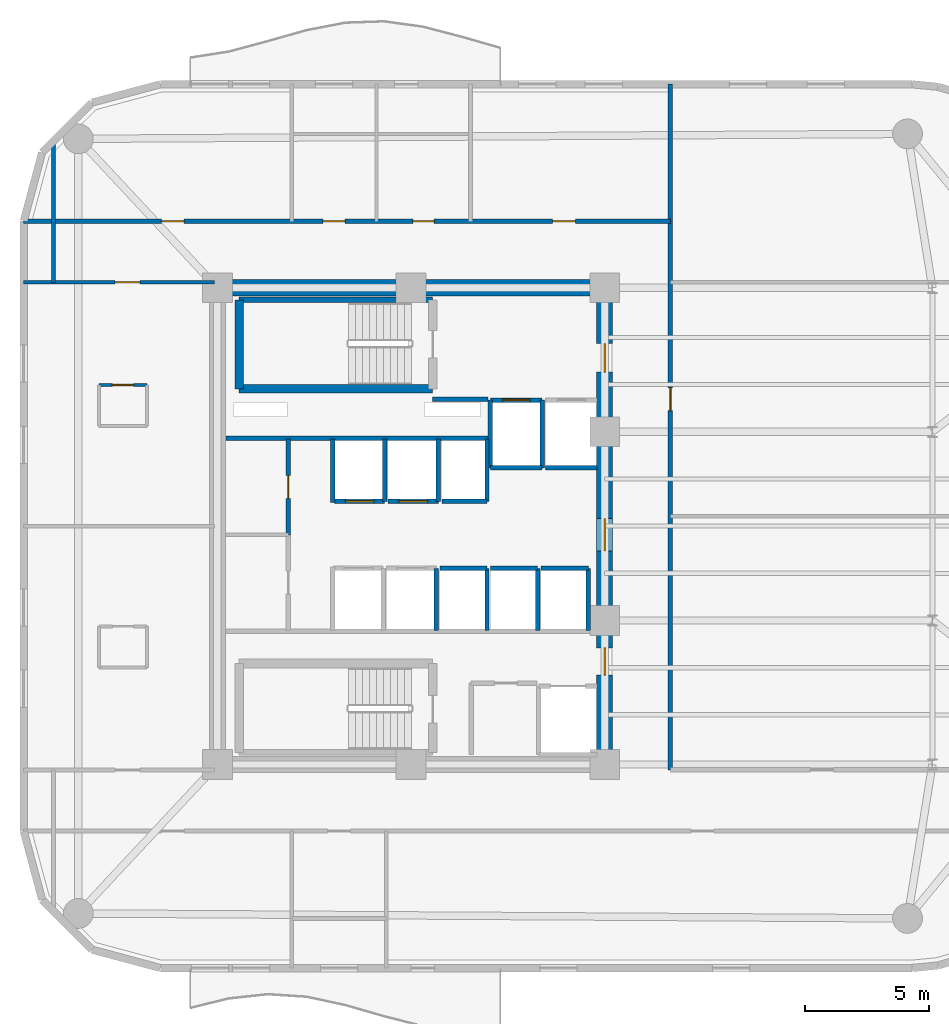
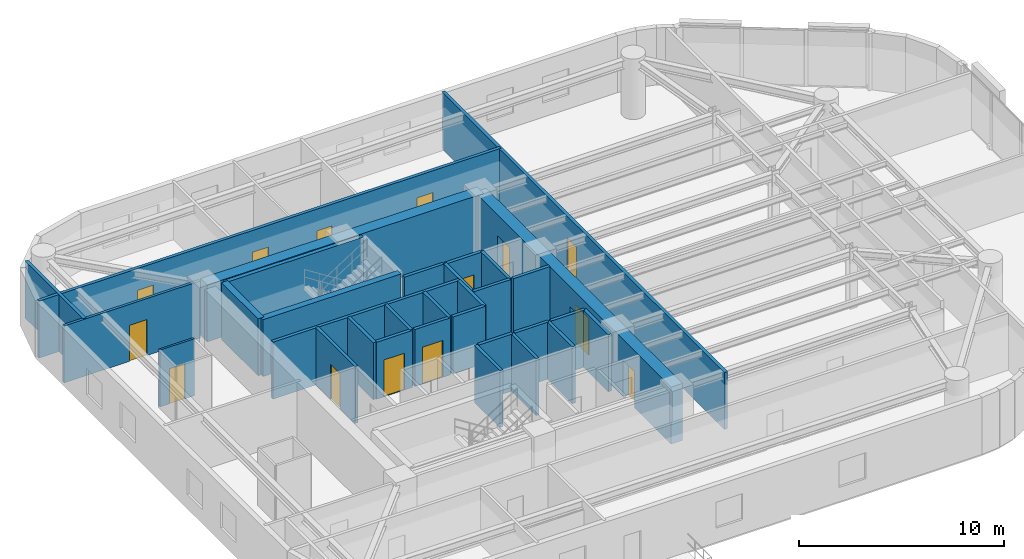
# One storey, part 11 of 15: 32 walls, 14 doors, 14 openings.
"""IFC4 building model written with IfcOpenShell, lengths in metres."""

from ifc_helpers import new_model, si_unit, direction, frame, frame_2d, origin, place, context, subcontext, project, spatial, rectangle, extrude, material, layer, layer_set, type_object, element, fill, save


model = new_model("IFC4")

# Units and contexts
model_context = context("Model", 3, precision=1e-05, world=origin(), true_north=direction((0.0, 1.0)))
body_context = subcontext(model_context, "Body", "Model", "MODEL_VIEW")
ifc_project = project(units=[si_unit("LENGTHUNIT", "METRE"), si_unit("AREAUNIT", "SQUARE_METRE"), si_unit("VOLUMEUNIT", "CUBIC_METRE"), si_unit("PLANEANGLEUNIT", "RADIAN"), si_unit("MASSUNIT", "GRAM", prefix="KILO")], contexts=[model_context])

# Site, building, storey
site_placement = place(None, origin())
site = spatial("IfcSite", under=ifc_project, at=site_placement, CompositionType="ELEMENT")
building_placement = place(site_placement, origin())
building = spatial("IfcBuilding", under=site, at=building_placement, Name="An Khanh Terracotta Commons", CompositionType="ELEMENT")
storey_placement = place(building_placement, frame((0.0, 0.0, 165.39990234375)))
storey = spatial("IfcBuildingStorey", under=building, at=storey_placement, Name="L43", CompositionType="ELEMENT", Elevation=165.39990234375)

# Wall
ifc_material_1 = material(Name="Concrete C60/75", Category="concrete")
ifc_layer_1 = layer(ifc_material_1, 0.64990234375, Name="Concrete C60/75")
ifc_layer_set_1 = layer_set([ifc_layer_1], Name="Concrete C60/75")
wall_type_1 = type_object("IfcWallType", Name="WALL-CORE-650", PredefinedType="SHEAR", material=ifc_layer_set_1)
wall_1_placement = place(storey_placement, frame((21.60009765625, 33.60009765625, 0.0), z_axis=(0.0, 0.0, 1.0), x_axis=(1.0, 0.0, 0.0)))
element("IfcWall", 1, at=wall_1_placement, inside=storey, type_object=wall_type_1, Name="L43 Core Wall CWALL-L43-N", PredefinedType="SHEAR", context=body_context, shape_type="SweptSolid", body=[
    extrude(rectangle(XDim=15.599853515625, YDim=0.64990234375, at=frame_2d((7.7998046875, 0.0))), origin(), (0.0, 0.0, 1.0), 3.400146484375),
])

# Wall, openings, doors
wall_2_placement = place(storey_placement, frame((37.199951171875, 14.39990234375, 0.0), z_axis=(0.0, 0.0, 1.0), x_axis=(0.0, 1.0, 0.0)))
wall_2 = element("IfcWall", 2, at=wall_2_placement, inside=storey, type_object=wall_type_1, Name="L43 Core Wall CWALL-L43-E", PredefinedType="SHEAR", context=body_context, shape_type="SweptSolid", body=[
    extrude(rectangle(XDim=19.2001953125, YDim=0.64990234375, at=frame_2d((9.60009765625, 0.0))), origin(), (0.0, 0.0, 1.0), 3.400146484375),
])
opening_1_placement = place(wall_2_placement, frame((15.800048828125, 0.0, 0.0)))
opening_1 = element("IfcOpeningElement", 3, at=opening_1_placement, cuts=wall_2, Name="Opening D-FFL", PredefinedType="OPENING", context=body_context, shape_type="SweptSolid", body=[
    extrude(rectangle(XDim=1.14990234375, YDim=2.14990234375, at=frame_2d((0.574951171875, 1.074951171875))), frame((0.0, 0.3349609375, 0.0), z_axis=(0.0, -1.0, 0.0), x_axis=(1.0, 0.0, 0.0)), (0.0, 0.0, 1.0), 0.669921875),
])
opening_2_placement = place(wall_2_placement, frame((3.60009765625, 0.0, 0.0)))
opening_2 = element("IfcOpeningElement", 4, at=opening_2_placement, cuts=wall_2, Name="Opening D-ST", PredefinedType="OPENING", context=body_context, shape_type="SweptSolid", body=[
    extrude(rectangle(XDim=1.10009765625, YDim=2.14990234375, at=frame_2d((0.550048828125, 1.074951171875))), frame((0.0, 0.3349609375, 0.0), z_axis=(0.0, -1.0, 0.0), x_axis=(1.0, 0.0, 0.0)), (0.0, 0.0, 1.0), 0.669921875),
])
opening_3_placement = place(wall_2_placement, frame((8.60009765625, 0.0, 0.0)))
opening_3 = element("IfcOpeningElement", 5, at=opening_3_placement, cuts=wall_2, Name="Opening D-COR", PredefinedType="OPENING", context=body_context, shape_type="SweptSolid", body=[
    extrude(rectangle(XDim=1.300048828125, YDim=2.199951171875, at=frame_2d((0.64990234375, 1.10009765625))), frame((0.0, 0.3349609375, 0.0), z_axis=(0.0, -1.0, 0.0), x_axis=(1.0, 0.0, 0.0)), (0.0, 0.0, 1.0), 0.669921875),
])
ifc_material_2 = material(Name="Fire-Rated Glazed Steel Double Door", Category="steel")
door_type_1 = type_object("IfcDoorType", Name="DOOR-CORR-1300", OperationType="NOTDEFINED", PredefinedType="DOOR", material=ifc_material_2)
door_1_placement = place(opening_3_placement, origin())
door_1 = element("IfcDoor", 6, at=door_1_placement, inside=storey, type_object=door_type_1, Name="L43 Passenger Lift Lobby Double Door", OperationType="DOUBLE_DOOR_SINGLE_SWING", OverallHeight=2.199951171875, OverallWidth=1.300048828125, PredefinedType="DOOR", context=body_context, shape_type="SweptSolid", body=[
    extrude(rectangle(XDim=1.300048828125, YDim=2.199951171875, at=frame_2d((0.64990234375, 1.10009765625))), frame((0.0, 0.02490234375, 0.0), z_axis=(0.0, -1.0, 0.0), x_axis=(1.0, 0.0, 0.0)), (0.0, 0.0, 1.0), 0.050048828125),
])
fill(opening_3, door_1)
ifc_material_3 = material(Name="Fire-Rated Steel Leaf and Vision Panel", Category="steel")
door_type_2 = type_object("IfcDoorType", Name="DOOR-FFL-1150", OperationType="NOTDEFINED", PredefinedType="DOOR", material=ifc_material_3)
door_2_placement = place(opening_1_placement, origin())
door_2 = element("IfcDoor", 7, at=door_2_placement, inside=storey, type_object=door_type_2, Name="L43 Firefighting Lift Lobby Fire Door", OperationType="SINGLE_SWING_RIGHT", OverallHeight=2.14990234375, OverallWidth=1.14990234375, PredefinedType="DOOR", context=body_context, shape_type="SweptSolid", body=[
    extrude(rectangle(XDim=1.14990234375, YDim=2.14990234375, at=frame_2d((0.574951171875, 1.074951171875))), frame((0.0, 0.02490234375, 0.0), z_axis=(0.0, -1.0, 0.0), x_axis=(1.0, 0.0, 0.0)), (0.0, 0.0, 1.0), 0.050048828125),
])
fill(opening_1, door_2)
ifc_material_4 = material(Name="Fire-Rated Steel Leaf and Frame", Category="steel")
door_type_3 = type_object("IfcDoorType", Name="DOOR-STAIR-1100", OperationType="NOTDEFINED", PredefinedType="DOOR", material=ifc_material_4)
door_3_placement = place(opening_2_placement, origin())
door_3 = element("IfcDoor", 8, at=door_3_placement, inside=storey, type_object=door_type_3, Name="L43 South Stair Lobby Fire Door", OperationType="SINGLE_SWING_LEFT", OverallHeight=2.14990234375, OverallWidth=1.10009765625, PredefinedType="DOOR", context=body_context, shape_type="SweptSolid", body=[
    extrude(rectangle(XDim=1.10009765625, YDim=2.14990234375, at=frame_2d((0.550048828125, 1.074951171875))), frame((0.0, 0.02490234375, 0.0), z_axis=(0.0, -1.0, 0.0), x_axis=(1.0, 0.0, 0.0)), (0.0, 0.0, 1.0), 0.050048828125),
])
fill(opening_2, door_3)

# Walls
ifc_material_5 = material(Name="Fire-Rated Gypsum Board on Steel Stud", Category="steel")
ifc_layer_2 = layer(ifc_material_5, 0.179931640625, Name="Fire-Rated Gypsum Board on Steel Stud")
ifc_layer_set_2 = layer_set([ifc_layer_2], Name="Fire-Rated Gypsum Board on Steel Stud")
wall_type_2 = type_object("IfcWallType", Name="WALL-CORR-180", PredefinedType="PARTITIONING", material=ifc_layer_set_2)
wall_3_placement = place(storey_placement, frame((30.27001953125, 29.1201171875, 0.0), z_axis=(0.0, 0.0, 1.0), x_axis=(1.0, 0.0, 0.0)))
element("IfcWall", 9, at=wall_3_placement, inside=storey, type_object=wall_type_2, Name="L43 Core Wall FFLW-L43-S", PredefinedType="PARTITIONING", context=body_context, shape_type="SweptSolid", body=[
    extrude(rectangle(XDim=2.239990234375, YDim=0.179931640625, at=frame_2d((1.1201171875, 0.0))), origin(), (0.0, 0.0, 1.0), 3.400146484375),
])
wall_4_placement = place(storey_placement, frame((21.949951171875, 27.5400390625, 0.0), z_axis=(0.0, 0.0, 1.0), x_axis=(1.0, 0.0, 0.0)))
element("IfcWall", 10, at=wall_4_placement, inside=storey, type_object=wall_type_2, Name="L43 Core Wall RSRW-L43-S", PredefinedType="PARTITIONING", context=body_context, shape_type="SweptSolid", body=[
    extrude(rectangle(XDim=10.56005859375, YDim=0.179931640625, at=frame_2d((5.280029296875, 0.0))), origin(), (0.0, 0.0, 1.0), 3.400146484375),
])

# Wall, opening, door
wall_5_placement = place(storey_placement, frame((32.60009765625, 29.080078125, 0.0), z_axis=(0.0, 0.0, 1.0), x_axis=(1.0, 0.0, 0.0)))
wall_5 = element("IfcWall", 11, at=wall_5_placement, inside=storey, type_object=wall_type_2, Name="L43 Core Wall LSH-L43-FFL-01-N", PredefinedType="PARTITIONING", context=body_context, shape_type="SweptSolid", body=[
    extrude(rectangle(XDim=2.079833984375, YDim=0.179931640625, at=frame_2d((1.0400390625, 0.0))), origin(), (0.0, 0.0, 1.0), 3.400146484375),
])
opening_4_placement = place(wall_5_placement, frame((0.489990234375, 0.0, 0.0)))
opening_4 = element("IfcOpeningElement", 12, at=opening_4_placement, cuts=wall_5, Name="Opening LD-FFL-01-L43", PredefinedType="OPENING", context=body_context, shape_type="SweptSolid", body=[
    extrude(rectangle(XDim=1.10009765625, YDim=2.199951171875, at=frame_2d((0.550048828125, 1.10009765625))), frame((0.0, 0.099853515625, 0.0), z_axis=(0.0, -1.0, 0.0), x_axis=(1.0, 0.0, 0.0)), (0.0, 0.0, 1.0), 0.199951171875),
])
ifc_material_6 = material(Name="Brushed Stainless Steel Fire Landing Door", Category="steel")
door_type_4 = type_object("IfcDoorType", Name="DOOR-LD-FFL-1100", OperationType="NOTDEFINED", PredefinedType="DOOR", material=ifc_material_6)
door_4_placement = place(opening_4_placement, origin())
door_4 = element("IfcDoor", 13, at=door_4_placement, inside=storey, type_object=door_type_4, Name="L43 Lift FFL-01 Sliding Landing Door", OperationType="DOUBLE_DOOR_SLIDING", OverallHeight=2.199951171875, OverallWidth=1.10009765625, PredefinedType="DOOR", context=body_context, shape_type="SweptSolid", body=[
    extrude(rectangle(XDim=1.10009765625, YDim=2.199951171875, at=frame_2d((0.550048828125, 1.10009765625))), frame((0.0, 0.02490234375, 0.0), z_axis=(0.0, -1.0, 0.0), x_axis=(1.0, 0.0, 0.0)), (0.0, 0.0, 1.0), 0.050048828125),
])
fill(opening_4, door_4)

# Walls
wall_6_placement = place(storey_placement, frame((34.679931640625, 26.35009765625, 0.0), z_axis=(0.0, 0.0, 1.0), x_axis=(-1.0, 0.0, 0.0)))
element("IfcWall", 14, at=wall_6_placement, inside=storey, type_object=wall_type_2, Name="L43 Core Wall LSH-L43-FFL-01-S", PredefinedType="PARTITIONING", context=body_context, shape_type="SweptSolid", body=[
    extrude(rectangle(XDim=2.079833984375, YDim=0.179931640625, at=frame_2d((1.0400390625, 0.0))), origin(), (0.0, 0.0, 1.0), 3.400146484375),
])
for number, where, z_axis, x_axis, name in (
    (15, (34.679931640625, 26.35009765625, 0.0), (0.0, 0.0, 1.0), (0.0, 1.0, 0.0), "L43 Core Wall LSH-L43-FFL-01-E"),
    (16, (32.60009765625, 29.080078125, 0.0), (0.0, 0.0, 1.0), (0.0, -1.0, 0.0), "L43 Core Wall LSH-L43-FFL-01-W"),
):
    element("IfcWall", number, at=place(storey_placement, frame(where, z_axis=z_axis, x_axis=x_axis)), inside=storey, type_object=wall_type_2, Name=name, PredefinedType="PARTITIONING", context=body_context, shape_type="SweptSolid", body=[
        extrude(rectangle(XDim=2.72998046875, YDim=0.179931640625, at=frame_2d((1.364990234375, 0.0))), origin(), (0.0, 0.0, 1.0), 3.400146484375),
    ])
wall_7_placement = place(storey_placement, frame((36.89990234375, 26.35009765625, 0.0), z_axis=(0.0, 0.0, 1.0), x_axis=(-1.0, 0.0, 0.0)))
element("IfcWall", 17, at=wall_7_placement, inside=storey, type_object=wall_type_2, Name="L43 Core Wall LSH-L43-FFL-02-S", PredefinedType="PARTITIONING", context=body_context, shape_type="SweptSolid", body=[
    extrude(rectangle(XDim=2.079833984375, YDim=0.179931640625, at=frame_2d((1.0400390625, 0.0))), origin(), (0.0, 0.0, 1.0), 3.400146484375),
])

# Wall, opening, door
wall_8_placement = place(storey_placement, frame((28.340087890625, 25.0, 0.0), z_axis=(0.0, 0.0, 1.0), x_axis=(-1.0, 0.0, 0.0)))
wall_8 = element("IfcWall", 18, at=wall_8_placement, inside=storey, type_object=wall_type_2, Name="L43 Core Wall LSH-L43-PL-M1-S", PredefinedType="PARTITIONING", context=body_context, shape_type="SweptSolid", body=[
    extrude(rectangle(XDim=2.02001953125, YDim=0.179931640625, at=frame_2d((1.010009765625, 0.0))), origin(), (0.0, 0.0, 1.0), 3.400146484375),
])
opening_5_placement = place(wall_8_placement, frame((0.43505859375, 0.0, 0.0)))
opening_5 = element("IfcOpeningElement", 19, at=opening_5_placement, cuts=wall_8, Name="Opening LD-PL-M1-L43", PredefinedType="OPENING", context=body_context, shape_type="SweptSolid", body=[
    extrude(rectangle(XDim=1.14990234375, YDim=2.199951171875, at=frame_2d((0.574951171875, 1.10009765625))), frame((0.0, 0.099853515625, 0.0), z_axis=(0.0, -1.0, 0.0), x_axis=(1.0, 0.0, 0.0)), (0.0, 0.0, 1.0), 0.199951171875),
])
ifc_material_7 = material(Name="Brushed Stainless Steel Passenger Landing Door", Category="steel")
door_type_5 = type_object("IfcDoorType", Name="DOOR-LD-PAX-1150", OperationType="NOTDEFINED", PredefinedType="DOOR", material=ifc_material_7)
door_5_placement = place(opening_5_placement, origin())
door_5 = element("IfcDoor", 20, at=door_5_placement, inside=storey, type_object=door_type_5, Name="L43 Lift PL-M1 Sliding Landing Door", OperationType="DOUBLE_DOOR_SLIDING", OverallHeight=2.199951171875, OverallWidth=1.14990234375, PredefinedType="DOOR", context=body_context, shape_type="SweptSolid", body=[
    extrude(rectangle(XDim=1.14990234375, YDim=2.199951171875, at=frame_2d((0.574951171875, 1.10009765625))), frame((0.0, 0.02490234375, 0.0), z_axis=(0.0, -1.0, 0.0), x_axis=(1.0, 0.0, 0.0)), (0.0, 0.0, 1.0), 0.050048828125),
])
fill(opening_5, door_5)

# Wall
wall_9_placement = place(storey_placement, frame((28.340087890625, 25.0, 0.0), z_axis=(0.0, 0.0, 1.0), x_axis=(0.0, 1.0, 0.0)))
element("IfcWall", 21, at=wall_9_placement, inside=storey, type_object=wall_type_2, Name="L43 Core Wall LSH-L43-PL-M1-E", PredefinedType="PARTITIONING", context=body_context, shape_type="SweptSolid", body=[
    extrude(rectangle(XDim=2.5, YDim=0.179931640625, at=frame_2d((1.25, 0.0))), origin(), (0.0, 0.0, 1.0), 3.400146484375),
])

# Wall, opening, door
wall_10_placement = place(storey_placement, frame((30.5, 25.0, 0.0), z_axis=(0.0, 0.0, 1.0), x_axis=(-1.0, 0.0, 0.0)))
wall_10 = element("IfcWall", 22, at=wall_10_placement, inside=storey, type_object=wall_type_2, Name="L43 Core Wall LSH-L43-PL-M2-S", PredefinedType="PARTITIONING", context=body_context, shape_type="SweptSolid", body=[
    extrude(rectangle(XDim=2.02001953125, YDim=0.179931640625, at=frame_2d((1.010009765625, 0.0))), origin(), (0.0, 0.0, 1.0), 3.400146484375),
])
opening_6_placement = place(wall_10_placement, frame((0.43505859375, 0.0, 0.0)))
opening_6 = element("IfcOpeningElement", 23, at=opening_6_placement, cuts=wall_10, Name="Opening LD-PL-M2-L43", PredefinedType="OPENING", context=body_context, shape_type="SweptSolid", body=[
    extrude(rectangle(XDim=1.14990234375, YDim=2.199951171875, at=frame_2d((0.574951171875, 1.10009765625))), frame((0.0, 0.099853515625, 0.0), z_axis=(0.0, -1.0, 0.0), x_axis=(1.0, 0.0, 0.0)), (0.0, 0.0, 1.0), 0.199951171875),
])
door_6_placement = place(opening_6_placement, origin())
door_6 = element("IfcDoor", 24, at=door_6_placement, inside=storey, type_object=door_type_5, Name="L43 Lift PL-M2 Sliding Landing Door", OperationType="DOUBLE_DOOR_SLIDING", OverallHeight=2.199951171875, OverallWidth=1.14990234375, PredefinedType="DOOR", context=body_context, shape_type="SweptSolid", body=[
    extrude(rectangle(XDim=1.14990234375, YDim=2.199951171875, at=frame_2d((0.574951171875, 1.10009765625))), frame((0.0, 0.02490234375, 0.0), z_axis=(0.0, -1.0, 0.0), x_axis=(1.0, 0.0, 0.0)), (0.0, 0.0, 1.0), 0.050048828125),
])
fill(opening_6, door_6)

# Walls
for number, where, z_axis, x_axis, name in (
    (25, (30.5, 25.0, 0.0), (0.0, 0.0, 1.0), (0.0, 1.0, 0.0), "L43 Core Wall LSH-L43-PL-M2-E"),
    (26, (30.419921875, 19.800048828125, 0.0), (0.0, 0.0, 1.0), (0.0, 1.0, 0.0), "L43 Core Wall LSH-L43-PL-M4-E"),
):
    element("IfcWall", number, at=place(storey_placement, frame(where, z_axis=z_axis, x_axis=x_axis)), inside=storey, type_object=wall_type_2, Name=name, PredefinedType="PARTITIONING", context=body_context, shape_type="SweptSolid", body=[
        extrude(rectangle(XDim=2.5, YDim=0.179931640625, at=frame_2d((1.25, 0.0))), origin(), (0.0, 0.0, 1.0), 3.400146484375),
    ])
wall_11_placement = place(storey_placement, frame((32.4599609375, 25.0, 0.0), z_axis=(0.0, 0.0, 1.0), x_axis=(-1.0, 0.0, 0.0)))
element("IfcWall", 27, at=wall_11_placement, inside=storey, type_object=wall_type_2, Name="L43 Core Wall LSH-L43-PL-H1-S", PredefinedType="PARTITIONING", context=body_context, shape_type="SweptSolid", body=[
    extrude(rectangle(XDim=1.820068359375, YDim=0.179931640625, at=frame_2d((0.91015625, 0.0))), origin(), (0.0, 0.0, 1.0), 3.400146484375),
])
wall_12_placement = place(storey_placement, frame((32.4599609375, 25.0, 0.0), z_axis=(0.0, 0.0, 1.0), x_axis=(0.0, 1.0, 0.0)))
element("IfcWall", 28, at=wall_12_placement, inside=storey, type_object=wall_type_2, Name="L43 Core Wall LSH-L43-PL-H1-E", PredefinedType="PARTITIONING", context=body_context, shape_type="SweptSolid", body=[
    extrude(rectangle(XDim=2.5, YDim=0.179931640625, at=frame_2d((1.25, 0.0))), origin(), (0.0, 0.0, 1.0), 3.400146484375),
])
wall_13_placement = place(storey_placement, frame((30.56005859375, 22.300048828125, 0.0), z_axis=(0.0, 0.0, 1.0), x_axis=(1.0, 0.0, 0.0)))
element("IfcWall", 29, at=wall_13_placement, inside=storey, type_object=wall_type_2, Name="L43 Core Wall LSH-L43-PL-H2-N", PredefinedType="PARTITIONING", context=body_context, shape_type="SweptSolid", body=[
    extrude(rectangle(XDim=1.89990234375, YDim=0.179931640625, at=frame_2d((0.949951171875, 0.0))), origin(), (0.0, 0.0, 1.0), 3.400146484375),
])
wall_14_placement = place(storey_placement, frame((32.4599609375, 19.800048828125, 0.0), z_axis=(0.0, 0.0, 1.0), x_axis=(0.0, 1.0, 0.0)))
element("IfcWall", 30, at=wall_14_placement, inside=storey, type_object=wall_type_2, Name="L43 Core Wall LSH-L43-PL-H2-E", PredefinedType="PARTITIONING", context=body_context, shape_type="SweptSolid", body=[
    extrude(rectangle(XDim=2.5, YDim=0.179931640625, at=frame_2d((1.25, 0.0))), origin(), (0.0, 0.0, 1.0), 3.400146484375),
])
wall_15_placement = place(storey_placement, frame((32.60009765625, 22.300048828125, 0.0), z_axis=(0.0, 0.0, 1.0), x_axis=(1.0, 0.0, 0.0)))
element("IfcWall", 31, at=wall_15_placement, inside=storey, type_object=wall_type_2, Name="L43 Core Wall LSH-L43-PL-H3-N", PredefinedType="PARTITIONING", context=body_context, shape_type="SweptSolid", body=[
    extrude(rectangle(XDim=1.89990234375, YDim=0.179931640625, at=frame_2d((0.949951171875, 0.0))), origin(), (0.0, 0.0, 1.0), 3.400146484375),
])
wall_16_placement = place(storey_placement, frame((34.5, 19.800048828125, 0.0), z_axis=(0.0, 0.0, 1.0), x_axis=(0.0, 1.0, 0.0)))
element("IfcWall", 32, at=wall_16_placement, inside=storey, type_object=wall_type_2, Name="L43 Core Wall LSH-L43-PL-H3-E", PredefinedType="PARTITIONING", context=body_context, shape_type="SweptSolid", body=[
    extrude(rectangle(XDim=2.5, YDim=0.179931640625, at=frame_2d((1.25, 0.0))), origin(), (0.0, 0.0, 1.0), 3.400146484375),
])
wall_17_placement = place(storey_placement, frame((34.639892578125, 22.300048828125, 0.0), z_axis=(0.0, 0.0, 1.0), x_axis=(1.0, 0.0, 0.0)))
element("IfcWall", 33, at=wall_17_placement, inside=storey, type_object=wall_type_2, Name="L43 Core Wall LSH-L43-PL-H4-N", PredefinedType="PARTITIONING", context=body_context, shape_type="SweptSolid", body=[
    extrude(rectangle(XDim=1.900146484375, YDim=0.179931640625, at=frame_2d((0.9501953125, 0.0))), origin(), (0.0, 0.0, 1.0), 3.400146484375),
])
wall_18_placement = place(storey_placement, frame((36.5400390625, 19.800048828125, 0.0), z_axis=(0.0, 0.0, 1.0), x_axis=(0.0, 1.0, 0.0)))
element("IfcWall", 34, at=wall_18_placement, inside=storey, type_object=wall_type_2, Name="L43 Core Wall LSH-L43-PL-H4-E", PredefinedType="PARTITIONING", context=body_context, shape_type="SweptSolid", body=[
    extrude(rectangle(XDim=2.5, YDim=0.179931640625, at=frame_2d((1.25, 0.0))), origin(), (0.0, 0.0, 1.0), 3.400146484375),
])

# Wall, opening, door
wall_19_placement = place(storey_placement, frame((24.4599609375, 23.64990234375, 0.0), z_axis=(0.0, 0.0, 1.0), x_axis=(0.0, 1.0, 0.0)))
wall_19 = element("IfcWall", 35, at=wall_19_placement, inside=storey, type_object=wall_type_2, Name="L43 Core Wall RECW-L43-E1", PredefinedType="PARTITIONING", context=body_context, shape_type="SweptSolid", body=[
    extrude(rectangle(XDim=3.85009765625, YDim=0.179931640625, at=frame_2d((1.925048828125, 0.0))), origin(), (0.0, 0.0, 1.0), 3.400146484375),
])
opening_7_placement = place(wall_19_placement, frame((1.465087890625, 0.0, 0.0)))
opening_7 = element("IfcOpeningElement", 36, at=opening_7_placement, cuts=wall_19, Name="Opening D-RM", PredefinedType="OPENING", context=body_context, shape_type="SweptSolid", body=[
    extrude(rectangle(XDim=0.919921875, YDim=2.10009765625, at=frame_2d((0.4599609375, 1.050048828125))), frame((0.0, 0.099853515625, 0.0), z_axis=(0.0, -1.0, 0.0), x_axis=(1.0, 0.0, 0.0)), (0.0, 0.0, 1.0), 0.199951171875),
])
ifc_material_8 = material(Name="Engineered Hardwood Timber Leaf", Category="wood")
door_type_6 = type_object("IfcDoorType", Name="DOOR-INT-920", OperationType="NOTDEFINED", PredefinedType="DOOR", material=ifc_material_8)
door_7_placement = place(opening_7_placement, origin())
door_7 = element("IfcDoor", 37, at=door_7_placement, inside=storey, type_object=door_type_6, Name="L43 Communal Laundry Room Door", OperationType="SINGLE_SWING_LEFT", OverallHeight=2.10009765625, OverallWidth=0.919921875, PredefinedType="DOOR", context=body_context, shape_type="SweptSolid", body=[
    extrude(rectangle(XDim=0.919921875, YDim=2.10009765625, at=frame_2d((0.4599609375, 1.050048828125))), frame((0.0, 0.02490234375, 0.0), z_axis=(0.0, -1.0, 0.0), x_axis=(1.0, 0.0, 0.0)), (0.0, 0.0, 1.0), 0.050048828125),
])
fill(opening_7, door_7)

# Wall
wall_20_placement = place(storey_placement, frame((26.25, 24.949951171875, 0.0), z_axis=(0.0, 0.0, 1.0), x_axis=(0.0, 1.0, 0.0)))
element("IfcWall", 38, at=wall_20_placement, inside=storey, type_object=wall_type_2, Name="L43 Core Wall RECW-L43-BE1", PredefinedType="PARTITIONING", context=body_context, shape_type="SweptSolid", body=[
    extrude(rectangle(XDim=2.550048828125, YDim=0.179931640625, at=frame_2d((1.27490234375, 0.0))), origin(), (0.0, 0.0, 1.0), 3.400146484375),
])

# Wall, openings, doors
wall_21_placement = place(storey_placement, frame((13.800048828125, 36.280029296875, 0.0), z_axis=(0.0, 0.0, 1.0), x_axis=(1.0, 0.0, 0.0)))
wall_21 = element("IfcWall", 39, at=wall_21_placement, inside=storey, type_object=wall_type_2, Name="L43 Interior Partition IW-L43-E011", PredefinedType="PARTITIONING", context=body_context, shape_type="SweptSolid", body=[
    extrude(rectangle(XDim=26.050048828125, YDim=0.179931640625, at=frame_2d((13.02490234375, 0.0))), origin(), (0.0, 0.0, 1.0), 3.400146484375),
])
opening_8_placement = place(wall_21_placement, frame((12.050048828125, 0.0, 0.0)))
opening_8 = element("IfcOpeningElement", 40, at=opening_8_placement, cuts=wall_21, Name="Opening D-WC", PredefinedType="OPENING", context=body_context, shape_type="SweptSolid", body=[
    extrude(rectangle(XDim=0.89990234375, YDim=2.10009765625, at=frame_2d((0.449951171875, 1.050048828125))), frame((0.0, 0.099853515625, 0.0), z_axis=(0.0, -1.0, 0.0), x_axis=(1.0, 0.0, 0.0)), (0.0, 0.0, 1.0), 0.199951171875),
])
opening_9_placement = place(wall_21_placement, frame((15.669921875, 0.0, 0.0)))
opening_9 = element("IfcOpeningElement", 41, at=opening_9_placement, cuts=wall_21, Name="Opening D-ENS", PredefinedType="OPENING", context=body_context, shape_type="SweptSolid", body=[
    extrude(rectangle(XDim=0.860107421875, YDim=2.10009765625, at=frame_2d((0.43017578125, 1.050048828125))), frame((0.0, 0.099853515625, 0.0), z_axis=(0.0, -1.0, 0.0), x_axis=(1.0, 0.0, 0.0)), (0.0, 0.0, 1.0), 0.199951171875),
])
opening_10_placement = place(wall_21_placement, frame((5.5400390625, 0.0, 0.0)))
opening_10 = element("IfcOpeningElement", 42, at=opening_10_placement, cuts=wall_21, Name="Opening D-RM", PredefinedType="OPENING", context=body_context, shape_type="SweptSolid", body=[
    extrude(rectangle(XDim=0.919921875, YDim=2.10009765625, at=frame_2d((0.4599609375, 1.050048828125))), frame((0.0, 0.099853515625, 0.0), z_axis=(0.0, -1.0, 0.0), x_axis=(1.0, 0.0, 0.0)), (0.0, 0.0, 1.0), 0.199951171875),
])
opening_11_placement = place(wall_21_placement, frame((21.304931640625, 0.0, 0.0)))
opening_11 = element("IfcOpeningElement", 43, at=opening_11_placement, cuts=wall_21, Name="Opening D-RM", PredefinedType="OPENING", context=body_context, shape_type="SweptSolid", body=[
    extrude(rectangle(XDim=0.919921875, YDim=2.10009765625, at=frame_2d((0.4599609375, 1.050048828125))), frame((0.0, 0.099853515625, 0.0), z_axis=(0.0, -1.0, 0.0), x_axis=(1.0, 0.0, 0.0)), (0.0, 0.0, 1.0), 0.199951171875),
])
ifc_material_9 = material(Name="Moisture-Resistant Hardwood Timber Leaf", Category="wood")
door_type_7 = type_object("IfcDoorType", Name="DOOR-BATH-860", OperationType="NOTDEFINED", PredefinedType="DOOR", material=ifc_material_9)
door_8_placement = place(opening_9_placement, origin())
door_8 = element("IfcDoor", 44, at=door_8_placement, inside=storey, type_object=door_type_7, Name="L43 SHW Resident Shared Shower and Washroom Door", OperationType="SINGLE_SWING_RIGHT", OverallHeight=2.10009765625, OverallWidth=0.860107421875, PredefinedType="DOOR", context=body_context, shape_type="SweptSolid", body=[
    extrude(rectangle(XDim=0.860107421875, YDim=2.10009765625, at=frame_2d((0.43017578125, 1.050048828125))), frame((0.0, 0.02490234375, 0.0), z_axis=(0.0, -1.0, 0.0), x_axis=(1.0, 0.0, 0.0)), (0.0, 0.0, 1.0), 0.050048828125),
])
fill(opening_9, door_8)
door_9_placement = place(opening_10_placement, origin())
door_9 = element("IfcDoor", 45, at=door_9_placement, inside=storey, type_object=door_type_6, Name="L43 NW1 Academic Seminar Room Door", OperationType="SINGLE_SWING_LEFT", OverallHeight=2.10009765625, OverallWidth=0.919921875, PredefinedType="DOOR", context=body_context, shape_type="SweptSolid", body=[
    extrude(rectangle(XDim=0.919921875, YDim=2.10009765625, at=frame_2d((0.4599609375, 1.050048828125))), frame((0.0, 0.02490234375, 0.0), z_axis=(0.0, -1.0, 0.0), x_axis=(1.0, 0.0, 0.0)), (0.0, 0.0, 1.0), 0.050048828125),
])
fill(opening_10, door_9)
door_10_placement = place(opening_11_placement, origin())
door_10 = element("IfcDoor", 46, at=door_10_placement, inside=storey, type_object=door_type_6, Name="L43 NWE Academic Seminar Room Door", OperationType="SINGLE_SWING_RIGHT", OverallHeight=2.10009765625, OverallWidth=0.919921875, PredefinedType="DOOR", context=body_context, shape_type="SweptSolid", body=[
    extrude(rectangle(XDim=0.919921875, YDim=2.10009765625, at=frame_2d((0.4599609375, 1.050048828125))), frame((0.0, 0.02490234375, 0.0), z_axis=(0.0, -1.0, 0.0), x_axis=(1.0, 0.0, 0.0)), (0.0, 0.0, 1.0), 0.050048828125),
])
fill(opening_11, door_10)
ifc_material_10 = material(Name="Laminate Moisture-Resistant Timber Leaf", Category="wood")
door_type_8 = type_object("IfcDoorType", Name="DOOR-WC-900", OperationType="NOTDEFINED", PredefinedType="DOOR", material=ifc_material_10)
door_11_placement = place(opening_8_placement, origin())
door_11 = element("IfcDoor", 47, at=door_11_placement, inside=storey, type_object=door_type_8, Name="L43 AWC Accessible WC Door", OperationType="SINGLE_SWING_LEFT", OverallHeight=2.10009765625, OverallWidth=0.89990234375, PredefinedType="DOOR", context=body_context, shape_type="SweptSolid", body=[
    extrude(rectangle(XDim=0.89990234375, YDim=2.10009765625, at=frame_2d((0.449951171875, 1.050048828125))), frame((0.0, 0.02490234375, 0.0), z_axis=(0.0, -1.0, 0.0), x_axis=(1.0, 0.0, 0.0)), (0.0, 0.0, 1.0), 0.050048828125),
])
fill(opening_8, door_11)

# Wall
wall_22_placement = place(storey_placement, frame((15.0, 33.820068359375, 0.0), z_axis=(0.0, 0.0, 1.0), x_axis=(0.0, 1.0, 0.0)))
element("IfcWall", 48, at=wall_22_placement, inside=storey, type_object=wall_type_2, Name="L43 Interior Partition IW-L43-E014", PredefinedType="PARTITIONING", context=body_context, shape_type="SweptSolid", body=[
    extrude(rectangle(XDim=5.69287109375, YDim=0.179931640625, at=frame_2d((2.846435546875, 0.0))), origin(), (0.0, 0.0, 1.0), 3.400146484375),
])

# Wall, opening, door
wall_23_placement = place(storey_placement, frame((39.85009765625, 14.179931640625, 0.0), z_axis=(0.0, 0.0, 1.0), x_axis=(0.0, 1.0, 0.0)))
wall_23 = element("IfcWall", 49, at=wall_23_placement, inside=storey, type_object=wall_type_2, Name="L43 Interior Partition IW-L43-E020", PredefinedType="PARTITIONING", context=body_context, shape_type="SweptSolid", body=[
    extrude(rectangle(XDim=27.6201171875, YDim=0.179931640625, at=frame_2d((13.81005859375, 0.0))), origin(), (0.0, 0.0, 1.0), 3.400146484375),
])
opening_12_placement = place(wall_23_placement, frame((14.469970703125, 0.0, 0.0)))
opening_12 = element("IfcOpeningElement", 50, at=opening_12_placement, cuts=wall_23, Name="Opening D-RM", PredefinedType="OPENING", context=body_context, shape_type="SweptSolid", body=[
    extrude(rectangle(XDim=0.919921875, YDim=2.10009765625, at=frame_2d((0.4599609375, 1.050048828125))), frame((0.0, 0.099853515625, 0.0), z_axis=(0.0, -1.0, 0.0), x_axis=(1.0, 0.0, 0.0)), (0.0, 0.0, 1.0), 0.199951171875),
])
door_12_placement = place(opening_12_placement, origin())
door_12 = element("IfcDoor", 51, at=door_12_placement, inside=storey, type_object=door_type_6, Name="L43 WSP2 Academic Seminar Room Door", OperationType="SINGLE_SWING_LEFT", OverallHeight=2.10009765625, OverallWidth=0.919921875, PredefinedType="DOOR", context=body_context, shape_type="SweptSolid", body=[
    extrude(rectangle(XDim=0.919921875, YDim=2.10009765625, at=frame_2d((0.4599609375, 1.050048828125))), frame((0.0, 0.02490234375, 0.0), z_axis=(0.0, -1.0, 0.0), x_axis=(1.0, 0.0, 0.0)), (0.0, 0.0, 1.0), 0.050048828125),
])
fill(opening_12, door_12)

ifc_material_11 = material(Name="Acoustic Gypsum Board Partition")
ifc_layer_3 = layer(ifc_material_11, 0.14990234375, Name="Acoustic Gypsum Board Partition")
ifc_layer_set_3 = layer_set([ifc_layer_3], Name="Acoustic Gypsum Board Partition")
wall_type_3 = type_object("IfcWallType", Name="WALL-PART-150", PredefinedType="PARTITIONING", material=ifc_layer_set_3)
wall_24_placement = place(storey_placement, frame((13.800048828125, 33.820068359375, 0.0), z_axis=(0.0, 0.0, 1.0), x_axis=(1.0, 0.0, 0.0)))
wall_24 = element("IfcWall", 52, at=wall_24_placement, inside=storey, type_object=wall_type_3, Name="L43 Interior Partition IW-L43-E009", PredefinedType="PARTITIONING", context=body_context, shape_type="SweptSolid", body=[
    extrude(rectangle(XDim=7.679931640625, YDim=0.14990234375, at=frame_2d((3.83984375, 0.0))), origin(), (0.0, 0.0, 1.0), 3.400146484375),
])
opening_13_placement = place(wall_24_placement, frame((3.679931640625, 0.0, 0.0)))
opening_13 = element("IfcOpeningElement", 53, at=opening_13_placement, cuts=wall_24, Name="Opening D-UN", PredefinedType="OPENING", context=body_context, shape_type="SweptSolid", body=[
    extrude(rectangle(XDim=1.0, YDim=2.14990234375, at=frame_2d((0.5, 1.074951171875))), frame((0.0, 0.0849609375, 0.0), z_axis=(0.0, -1.0, 0.0), x_axis=(1.0, 0.0, 0.0)), (0.0, 0.0, 1.0), 0.169921875),
])
ifc_material_12 = material(Name="Solid-Core Hardwood Acoustic Fire Door", Category="wood")
door_type_9 = type_object("IfcDoorType", Name="DOOR-UNIT-1000", OperationType="NOTDEFINED", PredefinedType="DOOR", material=ifc_material_12)
door_13_placement = place(opening_13_placement, origin())
door_13 = element("IfcDoor", 54, at=door_13_placement, inside=storey, type_object=door_type_9, Name="L43 WW2 Kitchenette and Studio Apartment Door", OperationType="SINGLE_SWING_RIGHT", OverallHeight=2.14990234375, OverallWidth=1.0, PredefinedType="DOOR", context=body_context, shape_type="SweptSolid", body=[
    extrude(rectangle(XDim=1.0, YDim=2.14990234375, at=frame_2d((0.5, 1.074951171875))), frame((0.0, 0.02490234375, 0.0), z_axis=(0.0, -1.0, 0.0), x_axis=(1.0, 0.0, 0.0)), (0.0, 0.0, 1.0), 0.050048828125),
])
fill(opening_13, door_13)

# Walls
ifc_material_13 = material(Name="Acoustic Double-Stud Gypsum and Mineral Wool")
ifc_layer_4 = layer(ifc_material_13, 0.219970703125, Name="Acoustic Double-Stud Gypsum and Mineral Wool")
ifc_layer_set_4 = layer_set([ifc_layer_4], Name="Acoustic Double-Stud Gypsum and Mineral Wool")
wall_type_4 = type_object("IfcWallType", Name="WALL-PARTY-220", PredefinedType="PARTITIONING", material=ifc_layer_set_4)
wall_25_placement = place(storey_placement, frame((22.47998046875, 33.110107421875, 0.0), z_axis=(0.0, 0.0, 1.0), x_axis=(1.0, 0.0, 0.0)))
element("IfcWall", 55, at=wall_25_placement, inside=storey, type_object=wall_type_4, Name="L43 Core Wall STW-L43-N-N", PredefinedType="PARTITIONING", context=body_context, shape_type="SweptSolid", body=[
    extrude(rectangle(XDim=7.7900390625, YDim=0.219970703125, at=frame_2d((3.89501953125, 0.0))), origin(), (0.0, 0.0, 1.0), 3.400146484375),
])
ifc_material_14 = material(Name="Concrete C50/60", Category="concrete")
ifc_layer_5 = layer(ifc_material_14, 0.35009765625, Name="Concrete C50/60")
ifc_layer_set_5 = layer_set([ifc_layer_5], Name="Concrete C50/60")
wall_type_5 = type_object("IfcWallType", Name="WALL-SHAFT-350", PredefinedType="SOLIDWALL", material=ifc_layer_set_5)
wall_26_placement = place(storey_placement, frame((22.47998046875, 29.530029296875, 0.0), z_axis=(0.0, 0.0, 1.0), x_axis=(1.0, 0.0, 0.0)))
element("IfcWall", 56, at=wall_26_placement, inside=storey, type_object=wall_type_5, Name="L43 Core Wall STW-L43-N-S", PredefinedType="SOLIDWALL", context=body_context, shape_type="SweptSolid", body=[
    extrude(rectangle(XDim=7.7900390625, YDim=0.35009765625, at=frame_2d((3.89501953125, 0.0))), origin(), (0.0, 0.0, 1.0), 3.400146484375),
])
wall_27_placement = place(storey_placement, frame((22.47998046875, 29.530029296875, 0.0), z_axis=(0.0, 0.0, 1.0), x_axis=(0.0, 1.0, 0.0)))
element("IfcWall", 57, at=wall_27_placement, inside=storey, type_object=wall_type_5, Name="L43 Core Wall STW-L43-N-W", PredefinedType="SOLIDWALL", context=body_context, shape_type="SweptSolid", body=[
    extrude(rectangle(XDim=3.580078125, YDim=0.35009765625, at=frame_2d((1.7900390625, 0.0))), origin(), (0.0, 0.0, 1.0), 3.400146484375),
])

# Wall, opening, door
ifc_material_15 = material(Name="Moisture-Resistant Cement Board Partition")
ifc_layer_6 = layer(ifc_material_15, 0.1201171875, Name="Moisture-Resistant Cement Board Partition")
ifc_layer_set_6 = layer_set([ifc_layer_6], Name="Moisture-Resistant Cement Board Partition")
wall_type_6 = type_object("IfcWallType", Name="WALL-WET-120", PredefinedType="PARTITIONING", material=ifc_layer_set_6)
wall_28_placement = place(storey_placement, frame((16.824951171875, 29.68505859375, 0.0), z_axis=(0.0, 0.0, 1.0), x_axis=(1.0, 0.0, 0.0)))
wall_28 = element("IfcWall", 58, at=wall_28_placement, inside=storey, type_object=wall_type_6, Name="L43 Interior Partition IW-L43-WW2-BN", PredefinedType="PARTITIONING", context=body_context, shape_type="SweptSolid", body=[
    extrude(rectangle(XDim=1.949951171875, YDim=0.1201171875, at=frame_2d((0.97509765625, 0.0))), origin(), (0.0, 0.0, 1.0), 3.400146484375),
])
opening_14_placement = place(wall_28_placement, frame((0.544921875, 0.0, 0.0)))
opening_14 = element("IfcOpeningElement", 59, at=opening_14_placement, cuts=wall_28, Name="Opening D-ENS", PredefinedType="OPENING", context=body_context, shape_type="SweptSolid", body=[
    extrude(rectangle(XDim=0.860107421875, YDim=2.10009765625, at=frame_2d((0.43017578125, 1.050048828125))), frame((0.0, 0.070068359375, 0.0), z_axis=(0.0, -1.0, 0.0), x_axis=(1.0, 0.0, 0.0)), (0.0, 0.0, 1.0), 0.14013671875),
])
door_14_placement = place(opening_14_placement, origin())
door_14 = element("IfcDoor", 60, at=door_14_placement, inside=storey, type_object=door_type_7, Name="L43 Studio WW2 En-suite Door", OperationType="SINGLE_SWING_RIGHT", OverallHeight=2.10009765625, OverallWidth=0.860107421875, PredefinedType="DOOR", context=body_context, shape_type="SweptSolid", body=[
    extrude(rectangle(XDim=0.860107421875, YDim=2.10009765625, at=frame_2d((0.43017578125, 1.050048828125))), frame((0.0, 0.02490234375, 0.0), z_axis=(0.0, -1.0, 0.0), x_axis=(1.0, 0.0, 0.0)), (0.0, 0.0, 1.0), 0.050048828125),
])
fill(opening_14, door_14)

save(model, "model.ifc")
